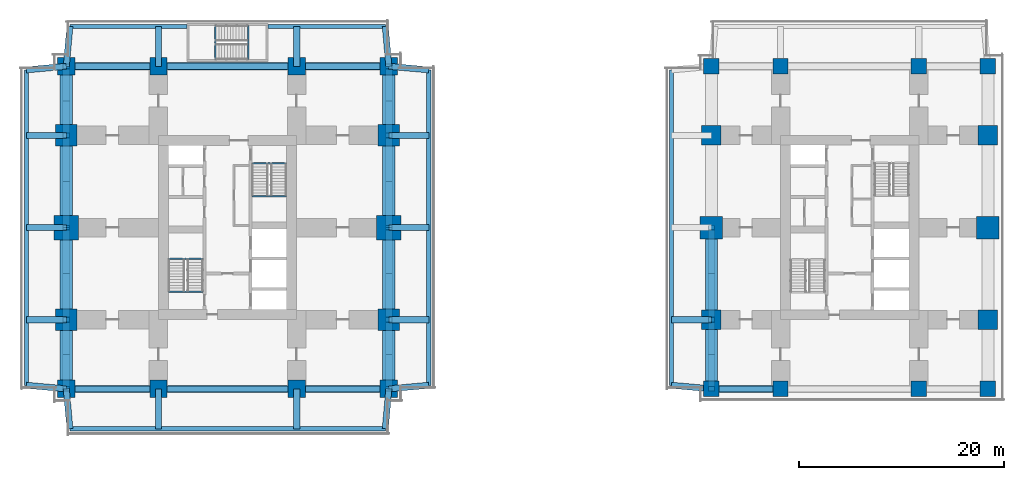
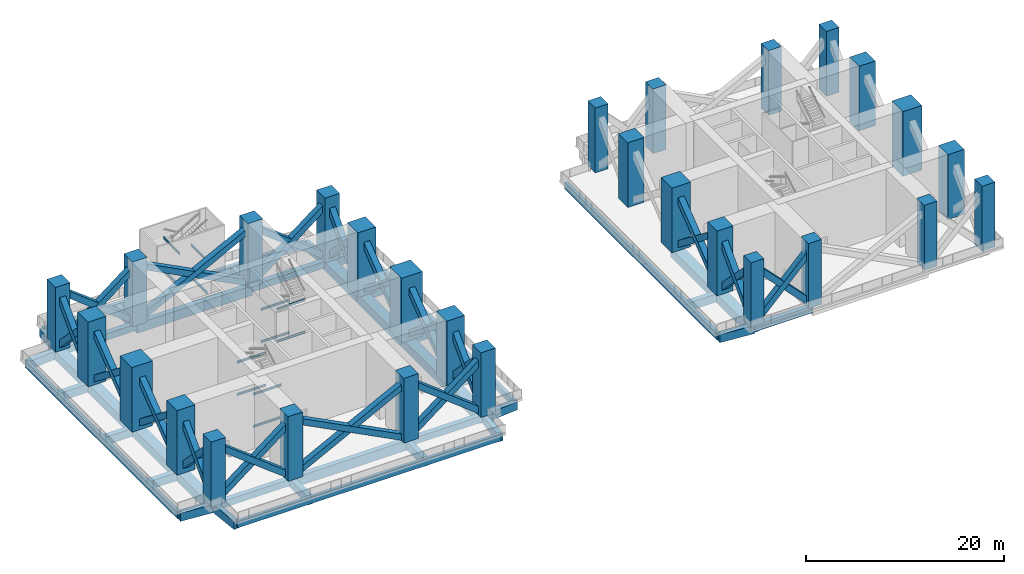
# One storey, part 1 of 11: 55 beams, 34 members, 28 columns.
"""IFC4 building model written with IfcOpenShell, lengths in metres."""

from ifc_helpers import new_model, si_unit, direction, frame, origin, origin_2d, place, context, subcontext, project, spatial, rectangle, hollow_rectangle, i_section, extrude, material, material_profile, profile_set, type_object, element, save


model = new_model("IFC4")

# Units and contexts
model_context = context("Model", 3, precision=1e-05, world=origin(), true_north=direction((0.0, 1.0)))
body_context = subcontext(model_context, "Body", "Model", "MODEL_VIEW")
ifc_project = project(units=[si_unit("LENGTHUNIT", "METRE"), si_unit("AREAUNIT", "SQUARE_METRE"), si_unit("VOLUMEUNIT", "CUBIC_METRE"), si_unit("PLANEANGLEUNIT", "RADIAN"), si_unit("MASSUNIT", "GRAM", prefix="KILO")], contexts=[model_context])

# Site, building, storey
site_placement = place(None, origin())
site = spatial("IfcSite", under=ifc_project, at=site_placement, CompositionType="ELEMENT")
building_placement = place(site_placement, origin())
building = spatial("IfcBuilding", under=site, at=building_placement, Name="Namib Vertical Campus", CompositionType="ELEMENT")
storey_placement = place(building_placement, frame((0.0, 0.0, 169.0)))
storey = spatial("IfcBuildingStorey", under=building, at=storey_placement, Name="L40", CompositionType="ELEMENT", Elevation=169.0)

# Columns
ifc_material_1 = material(Name="Concrete C60/75", Category="concrete")
ifc_material_profile_1 = material_profile(ifc_material_1, rectangle(XDim=1.5, YDim=1.5, at=origin_2d()))
ifc_profile_set_1 = profile_set([ifc_material_profile_1], Name="Concrete C60/75")
column_type_1 = type_object("IfcColumnType", Name="Column RC 1500x1500", PredefinedType="COLUMN", material=ifc_profile_set_1)
for number, where, z_axis, x_axis, name in (
    (1, (67.5, 4.5, 0.0), (0.0, 0.0, 1.0), (1.0, 0.0, 0.0), "Column C150 L40"),
    (2, (74.25, 4.5, 0.0), (0.0, 0.0, 1.0), (1.0, 0.0, 0.0), "Column C150 L40"),
    (3, (87.75, 4.5, 0.0), (0.0, 0.0, 1.0), (1.0, 0.0, 0.0), "Column C150 L40"),
    (4, (94.5, 4.5, 0.0), (0.0, 0.0, 1.0), (1.0, 0.0, 0.0), "Column C150 L40"),
    (5, (67.5, 36.0, 0.0), (0.0, 0.0, 1.0), (1.0, 0.0, 0.0), "Column C150 L40"),
    (6, (74.25, 36.0, 0.0), (0.0, 0.0, 1.0), (1.0, 0.0, 0.0), "Column C150 L40"),
    (7, (87.75, 36.0, 0.0), (0.0, 0.0, 1.0), (1.0, 0.0, 0.0), "Column C150 L40"),
    (8, (94.5, 36.0, 0.0), (0.0, 0.0, 1.0), (1.0, 0.0, 0.0), "Column C150 L40"),
):
    element("IfcColumn", number, at=place(storey_placement, frame(where, z_axis=z_axis, x_axis=x_axis)), inside=storey, type_object=column_type_1, Name=name, PredefinedType="COLUMN", context=body_context, shape_type="SweptSolid", body=[
        extrude(rectangle(XDim=1.5, YDim=1.5, at=origin_2d()), origin(), (0.0, 0.0, 1.0), 8.0),
    ])
ifc_material_2 = material(Name="Concrete C60/75", Category="concrete")
ifc_material_profile_2 = material_profile(ifc_material_2, rectangle(XDim=1.699951171875, YDim=1.699951171875, at=origin_2d()))
ifc_profile_set_2 = profile_set([ifc_material_profile_2], Name="Concrete C60/75")
column_type_2 = type_object("IfcColumnType", Name="Column RC 1700x1700", PredefinedType="COLUMN", material=ifc_profile_set_2)
for number, where, z_axis, x_axis, name in (
    (9, (4.5, 4.5, 0.0), (0.0, 0.0, 1.0), (1.0, 0.0, 0.0), "Column C170 L40"),
    (10, (13.5, 4.5, 0.0), (0.0, 0.0, 1.0), (1.0, 0.0, 0.0), "Column C170 L40"),
    (11, (27.0, 4.5, 0.0), (0.0, 0.0, 1.0), (1.0, 0.0, 0.0), "Column C170 L40"),
    (12, (36.0, 4.5, 0.0), (0.0, 0.0, 1.0), (1.0, 0.0, 0.0), "Column C170 L40"),
    (13, (4.5, 36.0, 0.0), (0.0, 0.0, 1.0), (1.0, 0.0, 0.0), "Column C170 L40"),
    (14, (13.5, 36.0, 0.0), (0.0, 0.0, 1.0), (1.0, 0.0, 0.0), "Column C170 L40"),
    (15, (27.0, 36.0, 0.0), (0.0, 0.0, 1.0), (1.0, 0.0, 0.0), "Column C170 L40"),
    (16, (36.0, 36.0, 0.0), (0.0, 0.0, 1.0), (1.0, 0.0, 0.0), "Column C170 L40"),
):
    element("IfcColumn", number, at=place(storey_placement, frame(where, z_axis=z_axis, x_axis=x_axis)), inside=storey, type_object=column_type_2, Name=name, PredefinedType="COLUMN", context=body_context, shape_type="SweptSolid", body=[
        extrude(rectangle(XDim=1.699951171875, YDim=1.699951171875, at=origin_2d()), origin(), (0.0, 0.0, 1.0), 8.0),
    ])
ifc_material_3 = material(Name="Concrete C60/75", Category="concrete")
ifc_material_profile_3 = material_profile(ifc_material_3, rectangle(XDim=1.89990234375, YDim=1.89990234375, at=origin_2d()))
ifc_profile_set_3 = profile_set([ifc_material_profile_3], Name="Concrete C60/75")
column_type_3 = type_object("IfcColumnType", Name="Column RC 1900x1900", PredefinedType="COLUMN", material=ifc_profile_set_3)
for number, where, z_axis, x_axis, name in (
    (17, (67.5, 11.25, 0.0), (0.0, 0.0, 1.0), (1.0, 0.0, 0.0), "Column C190 L40"),
    (18, (94.5, 11.25, 0.0), (0.0, 0.0, 1.0), (1.0, 0.0, 0.0), "Column C190 L40"),
    (19, (67.5, 29.25, 0.0), (0.0, 0.0, 1.0), (1.0, 0.0, 0.0), "Column C190 L40"),
    (20, (94.5, 29.25, 0.0), (0.0, 0.0, 1.0), (1.0, 0.0, 0.0), "Column C190 L40"),
):
    element("IfcColumn", number, at=place(storey_placement, frame(where, z_axis=z_axis, x_axis=x_axis)), inside=storey, type_object=column_type_3, Name=name, PredefinedType="COLUMN", context=body_context, shape_type="SweptSolid", body=[
        extrude(rectangle(XDim=1.89990234375, YDim=1.89990234375, at=origin_2d()), origin(), (0.0, 0.0, 1.0), 8.0),
    ])
ifc_material_4 = material(Name="Concrete C60/75", Category="concrete")
ifc_material_profile_4 = material_profile(ifc_material_4, rectangle(XDim=2.10009765625, YDim=2.10009765625, at=origin_2d()))
ifc_profile_set_4 = profile_set([ifc_material_profile_4], Name="Concrete C60/75")
column_type_4 = type_object("IfcColumnType", Name="Column RC 2100x2100", PredefinedType="COLUMN", material=ifc_profile_set_4)
for number, where, z_axis, x_axis, name in (
    (21, (4.5, 11.25, 0.0), (0.0, 0.0, 1.0), (1.0, 0.0, 0.0), "Column C210 L40"),
    (22, (36.0, 11.25, 0.0), (0.0, 0.0, 1.0), (1.0, 0.0, 0.0), "Column C210 L40"),
    (23, (4.5, 29.25, 0.0), (0.0, 0.0, 1.0), (1.0, 0.0, 0.0), "Column C210 L40"),
    (24, (36.0, 29.25, 0.0), (0.0, 0.0, 1.0), (1.0, 0.0, 0.0), "Column C210 L40"),
):
    element("IfcColumn", number, at=place(storey_placement, frame(where, z_axis=z_axis, x_axis=x_axis)), inside=storey, type_object=column_type_4, Name=name, PredefinedType="COLUMN", context=body_context, shape_type="SweptSolid", body=[
        extrude(rectangle(XDim=2.10009765625, YDim=2.10009765625, at=origin_2d()), origin(), (0.0, 0.0, 1.0), 8.0),
    ])
ifc_material_5 = material(Name="Concrete C60/75", Category="concrete")
ifc_material_profile_5 = material_profile(ifc_material_5, rectangle(XDim=2.199951171875, YDim=2.199951171875, at=origin_2d()))
ifc_profile_set_5 = profile_set([ifc_material_profile_5], Name="Concrete C60/75")
column_type_5 = type_object("IfcColumnType", Name="Column RC 2200x2200", PredefinedType="COLUMN", material=ifc_profile_set_5)
for number, where, z_axis, x_axis, name in (
    (25, (67.5, 20.25, 0.0), (0.0, 0.0, 1.0), (1.0, 0.0, 0.0), "Column C220 L40"),
    (26, (94.5, 20.25, 0.0), (0.0, 0.0, 1.0), (1.0, 0.0, 0.0), "Column C220 L40"),
):
    element("IfcColumn", number, at=place(storey_placement, frame(where, z_axis=z_axis, x_axis=x_axis)), inside=storey, type_object=column_type_5, Name=name, PredefinedType="COLUMN", context=body_context, shape_type="SweptSolid", body=[
        extrude(rectangle(XDim=2.199951171875, YDim=2.199951171875, at=origin_2d()), origin(), (0.0, 0.0, 1.0), 8.0),
    ])
ifc_material_6 = material(Name="Concrete C60/75", Category="concrete")
ifc_material_profile_6 = material_profile(ifc_material_6, rectangle(XDim=2.39990234375, YDim=2.39990234375, at=origin_2d()))
ifc_profile_set_6 = profile_set([ifc_material_profile_6], Name="Concrete C60/75")
column_type_6 = type_object("IfcColumnType", Name="Column RC 2400x2400", PredefinedType="COLUMN", material=ifc_profile_set_6)
for number, where, z_axis, x_axis, name in (
    (27, (4.5, 20.25, 0.0), (0.0, 0.0, 1.0), (1.0, 0.0, 0.0), "Column C240 L40"),
    (28, (36.0, 20.25, 0.0), (0.0, 0.0, 1.0), (1.0, 0.0, 0.0), "Column C240 L40"),
):
    element("IfcColumn", number, at=place(storey_placement, frame(where, z_axis=z_axis, x_axis=x_axis)), inside=storey, type_object=column_type_6, Name=name, PredefinedType="COLUMN", context=body_context, shape_type="SweptSolid", body=[
        extrude(rectangle(XDim=2.39990234375, YDim=2.39990234375, at=origin_2d()), origin(), (0.0, 0.0, 1.0), 8.0),
    ])

# Members
ifc_material_7 = material(Name="Steel S355JR", Category="steel")
ifc_material_profile_7 = material_profile(ifc_material_7, hollow_rectangle(XDim=0.699951171875, YDim=0.699951171875, WallThickness=0.0400390625, at=origin_2d()))
ifc_profile_set_7 = profile_set([ifc_material_profile_7], Name="Steel S355JR")
member_type = type_object("IfcMemberType", Name="Belt truss diagonal WB 700x700x40", PredefinedType="BRACE", material=ifc_profile_set_7)
for number, where, z_axis, x_axis, name in (
    (29, (4.5, 4.5, 0.0), (0.79148044328, 0.0, 0.611194492699), (0.0, 1.0, 0.0), "Belt truss diagonal A L40 S1"),
    (30, (13.5, 4.5, 0.0), (-0.79148044328, 0.0, 0.611194492699), (0.0, -1.0, 0.0), "Belt truss diagonal A L40 S2"),
):
    element("IfcMember", number, at=place(storey_placement, frame(where, z_axis=z_axis, x_axis=x_axis)), inside=storey, type_object=member_type, Name=name, PredefinedType="BRACE", context=body_context, shape_type="SweptSolid", body=[
        extrude(hollow_rectangle(XDim=0.699951171875, YDim=0.699951171875, WallThickness=0.0400390625, at=origin_2d()), origin(), (0.0, 0.0, 1.0), 11.37109375),
    ])
for number, where, z_axis, x_axis, name in (
    (31, (13.5, 4.5, 0.0), (0.889097706218, 0.0, 0.457717455203), (0.0, 1.0, 0.0), "Belt truss diagonal A L40 S3"),
    (32, (27.0, 4.5, 0.0), (-0.889097706218, 0.0, 0.457717455203), (0.0, -1.0, 0.0), "Belt truss diagonal A L40 S4"),
):
    element("IfcMember", number, at=place(storey_placement, frame(where, z_axis=z_axis, x_axis=x_axis)), inside=storey, type_object=member_type, Name=name, PredefinedType="BRACE", context=body_context, shape_type="SweptSolid", body=[
        extrude(hollow_rectangle(XDim=0.699951171875, YDim=0.699951171875, WallThickness=0.0400390625, at=origin_2d()), origin(), (0.0, 0.0, 1.0), 15.183837890625),
    ])
for number, where, z_axis, x_axis, name in (
    (33, (27.0, 4.5, 0.0), (0.79148044328, 0.0, 0.611194492699), (0.0, 1.0, 0.0), "Belt truss diagonal A L40 S5"),
    (34, (36.0, 4.5, 0.0), (-0.79148044328, 0.0, 0.611194492699), (0.0, -1.0, 0.0), "Belt truss diagonal A L40 S6"),
    (35, (4.5, 36.0, 0.0), (0.79148044328, 0.0, 0.611194492699), (0.0, 1.0, 0.0), "Belt truss diagonal A L40 N7"),
    (36, (13.5, 36.0, 0.0), (-0.79148044328, 0.0, 0.611194492699), (0.0, -1.0, 0.0), "Belt truss diagonal A L40 N8"),
):
    element("IfcMember", number, at=place(storey_placement, frame(where, z_axis=z_axis, x_axis=x_axis)), inside=storey, type_object=member_type, Name=name, PredefinedType="BRACE", context=body_context, shape_type="SweptSolid", body=[
        extrude(hollow_rectangle(XDim=0.699951171875, YDim=0.699951171875, WallThickness=0.0400390625, at=origin_2d()), origin(), (0.0, 0.0, 1.0), 11.37109375),
    ])
for number, where, z_axis, x_axis, name in (
    (37, (13.5, 36.0, 0.0), (0.889097706218, 0.0, 0.457717455203), (0.0, 1.0, 0.0), "Belt truss diagonal A L40 N9"),
    (38, (27.0, 36.0, 0.0), (-0.889097706218, 0.0, 0.457717455203), (0.0, -1.0, 0.0), "Belt truss diagonal A L40 N10"),
):
    element("IfcMember", number, at=place(storey_placement, frame(where, z_axis=z_axis, x_axis=x_axis)), inside=storey, type_object=member_type, Name=name, PredefinedType="BRACE", context=body_context, shape_type="SweptSolid", body=[
        extrude(hollow_rectangle(XDim=0.699951171875, YDim=0.699951171875, WallThickness=0.0400390625, at=origin_2d()), origin(), (0.0, 0.0, 1.0), 15.183837890625),
    ])
for number, where, z_axis, x_axis, name in (
    (39, (27.0, 36.0, 0.0), (0.79148044328, 0.0, 0.611194492699), (0.0, 1.0, 0.0), "Belt truss diagonal A L40 N11"),
    (40, (36.0, 36.0, 0.0), (-0.79148044328, 0.0, 0.611194492699), (0.0, -1.0, 0.0), "Belt truss diagonal A L40 N12"),
):
    element("IfcMember", number, at=place(storey_placement, frame(where, z_axis=z_axis, x_axis=x_axis)), inside=storey, type_object=member_type, Name=name, PredefinedType="BRACE", context=body_context, shape_type="SweptSolid", body=[
        extrude(hollow_rectangle(XDim=0.699951171875, YDim=0.699951171875, WallThickness=0.0400390625, at=origin_2d()), origin(), (0.0, 0.0, 1.0), 11.37109375),
    ])
for number, where, z_axis, x_axis, name in (
    (41, (4.5, 4.5, 0.0), (0.0, 0.696712336785, 0.717350625407), (-1.0, 0.0, 0.0), "Belt truss diagonal A L40 W13"),
    (42, (4.5, 11.25, 0.0), (0.0, -0.696712336785, 0.717350625407), (1.0, 0.0, 0.0), "Belt truss diagonal A L40 W14"),
):
    element("IfcMember", number, at=place(storey_placement, frame(where, z_axis=z_axis, x_axis=x_axis)), inside=storey, type_object=member_type, Name=name, PredefinedType="BRACE", context=body_context, shape_type="SweptSolid", body=[
        extrude(hollow_rectangle(XDim=0.699951171875, YDim=0.699951171875, WallThickness=0.0400390625, at=origin_2d()), origin(), (0.0, 0.0, 1.0), 9.6884765625),
    ])
for number, where, z_axis, x_axis, name in (
    (43, (4.5, 11.25, 0.0), (0.0, 0.79148044328, 0.611194492699), (-1.0, 0.0, 0.0), "Belt truss diagonal A L40 W15"),
    (44, (4.5, 20.25, 0.0), (0.0, -0.79148044328, 0.611194492699), (1.0, 0.0, 0.0), "Belt truss diagonal A L40 W16"),
    (45, (4.5, 20.25, 0.0), (0.0, 0.79148044328, 0.611194492699), (-1.0, 0.0, 0.0), "Belt truss diagonal A L40 W17"),
    (46, (4.5, 29.25, 0.0), (0.0, -0.79148044328, 0.611194492699), (1.0, 0.0, 0.0), "Belt truss diagonal A L40 W18"),
):
    element("IfcMember", number, at=place(storey_placement, frame(where, z_axis=z_axis, x_axis=x_axis)), inside=storey, type_object=member_type, Name=name, PredefinedType="BRACE", context=body_context, shape_type="SweptSolid", body=[
        extrude(hollow_rectangle(XDim=0.699951171875, YDim=0.699951171875, WallThickness=0.0400390625, at=origin_2d()), origin(), (0.0, 0.0, 1.0), 11.37109375),
    ])
for number, where, z_axis, x_axis, name in (
    (47, (4.5, 29.25, 0.0), (0.0, 0.696712336785, 0.717350625407), (-1.0, 0.0, 0.0), "Belt truss diagonal A L40 W19"),
    (48, (4.5, 36.0, 0.0), (0.0, -0.696712336785, 0.717350625407), (1.0, 0.0, 0.0), "Belt truss diagonal A L40 W20"),
    (49, (36.0, 4.5, 0.0), (0.0, 0.696712336785, 0.717350625407), (-1.0, 0.0, 0.0), "Belt truss diagonal A L40 E21"),
    (50, (36.0, 11.25, 0.0), (0.0, -0.696712336785, 0.717350625407), (1.0, 0.0, 0.0), "Belt truss diagonal A L40 E22"),
):
    element("IfcMember", number, at=place(storey_placement, frame(where, z_axis=z_axis, x_axis=x_axis)), inside=storey, type_object=member_type, Name=name, PredefinedType="BRACE", context=body_context, shape_type="SweptSolid", body=[
        extrude(hollow_rectangle(XDim=0.699951171875, YDim=0.699951171875, WallThickness=0.0400390625, at=origin_2d()), origin(), (0.0, 0.0, 1.0), 9.6884765625),
    ])
for number, where, z_axis, x_axis, name in (
    (51, (36.0, 11.25, 0.0), (0.0, 0.79148044328, 0.611194492699), (-1.0, 0.0, 0.0), "Belt truss diagonal A L40 E23"),
    (52, (36.0, 20.25, 0.0), (0.0, -0.79148044328, 0.611194492699), (1.0, 0.0, 0.0), "Belt truss diagonal A L40 E24"),
    (53, (36.0, 20.25, 0.0), (0.0, 0.79148044328, 0.611194492699), (-1.0, 0.0, 0.0), "Belt truss diagonal A L40 E25"),
    (54, (36.0, 29.25, 0.0), (0.0, -0.79148044328, 0.611194492699), (1.0, 0.0, 0.0), "Belt truss diagonal A L40 E26"),
):
    element("IfcMember", number, at=place(storey_placement, frame(where, z_axis=z_axis, x_axis=x_axis)), inside=storey, type_object=member_type, Name=name, PredefinedType="BRACE", context=body_context, shape_type="SweptSolid", body=[
        extrude(hollow_rectangle(XDim=0.699951171875, YDim=0.699951171875, WallThickness=0.0400390625, at=origin_2d()), origin(), (0.0, 0.0, 1.0), 11.37109375),
    ])
for number, where, z_axis, x_axis, name in (
    (55, (36.0, 29.25, 0.0), (0.0, 0.696712336785, 0.717350625407), (-1.0, 0.0, 0.0), "Belt truss diagonal A L40 E27"),
    (56, (36.0, 36.0, 0.0), (0.0, -0.696712336785, 0.717350625407), (1.0, 0.0, 0.0), "Belt truss diagonal A L40 E28"),
    (57, (67.5, 4.5, 0.0), (0.696712336785, 0.0, 0.717350625407), (0.0, 1.0, 0.0), "Belt truss diagonal B L40 S1"),
    (58, (74.25, 4.5, 0.0), (-0.696712336785, 0.0, 0.717350625407), (0.0, -1.0, 0.0), "Belt truss diagonal B L40 S2"),
    (59, (67.5, 4.5, 0.0), (0.0, 0.696712336785, 0.717350625407), (-1.0, 0.0, 0.0), "Belt truss diagonal B L40 W13"),
    (60, (67.5, 11.25, 0.0), (0.0, -0.696712336785, 0.717350625407), (1.0, 0.0, 0.0), "Belt truss diagonal B L40 W14"),
):
    element("IfcMember", number, at=place(storey_placement, frame(where, z_axis=z_axis, x_axis=x_axis)), inside=storey, type_object=member_type, Name=name, PredefinedType="BRACE", context=body_context, shape_type="SweptSolid", body=[
        extrude(hollow_rectangle(XDim=0.699951171875, YDim=0.699951171875, WallThickness=0.0400390625, at=origin_2d()), origin(), (0.0, 0.0, 1.0), 9.6884765625),
    ])
for number, where, z_axis, x_axis, name in (
    (61, (67.5, 11.25, 0.0), (0.0, 0.79148044328, 0.611194492699), (-1.0, 0.0, 0.0), "Belt truss diagonal B L40 W15"),
    (62, (67.5, 20.25, 0.0), (0.0, -0.79148044328, 0.611194492699), (1.0, 0.0, 0.0), "Belt truss diagonal B L40 W16"),
):
    element("IfcMember", number, at=place(storey_placement, frame(where, z_axis=z_axis, x_axis=x_axis)), inside=storey, type_object=member_type, Name=name, PredefinedType="BRACE", context=body_context, shape_type="SweptSolid", body=[
        extrude(hollow_rectangle(XDim=0.699951171875, YDim=0.699951171875, WallThickness=0.0400390625, at=origin_2d()), origin(), (0.0, 0.0, 1.0), 11.37109375),
    ])

# Beams
ifc_material_8 = material(Name="Concrete C40/50", Category="concrete")
ifc_material_profile_8 = material_profile(ifc_material_8, rectangle(XDim=1.199951171875, YDim=1.10009765625, at=origin_2d()))
ifc_profile_set_8 = profile_set([ifc_material_profile_8], Name="Concrete C40/50")
beam_type_1 = type_object("IfcBeamType", Name="Face ring beam RC 1200x1100", PredefinedType="BEAM", material=ifc_profile_set_8)
beam_1_placement = place(storey_placement, frame((4.5, 4.5, -0.800048828125), z_axis=(0.0, 1.0, 0.0), x_axis=(-1.0, 0.0, 0.0)))
element("IfcBeam", 63, at=beam_1_placement, inside=storey, type_object=beam_type_1, Name="Beam B11 L40", PredefinedType="BEAM", context=body_context, shape_type="SweptSolid", body=[
    extrude(rectangle(XDim=1.199951171875, YDim=1.10009765625, at=origin_2d()), origin(), (0.0, 0.0, 1.0), 6.75),
])
for number, where, z_axis, x_axis, name in (
    (64, (4.5, 11.25, -0.800048828125), (0.0, 1.0, 0.0), (-1.0, 0.0, 0.0), "Beam B11 L40"),
    (65, (4.5, 20.25, -0.800048828125), (0.0, 1.0, 0.0), (-1.0, 0.0, 0.0), "Beam B11 L40"),
):
    element("IfcBeam", number, at=place(storey_placement, frame(where, z_axis=z_axis, x_axis=x_axis)), inside=storey, type_object=beam_type_1, Name=name, PredefinedType="BEAM", context=body_context, shape_type="SweptSolid", body=[
        extrude(rectangle(XDim=1.199951171875, YDim=1.10009765625, at=origin_2d()), origin(), (0.0, 0.0, 1.0), 9.0),
    ])
for number, where, z_axis, x_axis, name in (
    (66, (4.5, 29.25, -0.800048828125), (0.0, 1.0, 0.0), (-1.0, 0.0, 0.0), "Beam B11 L40"),
    (67, (36.0, 4.5, -0.800048828125), (0.0, 1.0, 0.0), (-1.0, 0.0, 0.0), "Beam B11 L40"),
):
    element("IfcBeam", number, at=place(storey_placement, frame(where, z_axis=z_axis, x_axis=x_axis)), inside=storey, type_object=beam_type_1, Name=name, PredefinedType="BEAM", context=body_context, shape_type="SweptSolid", body=[
        extrude(rectangle(XDim=1.199951171875, YDim=1.10009765625, at=origin_2d()), origin(), (0.0, 0.0, 1.0), 6.75),
    ])
for number, where, z_axis, x_axis, name in (
    (68, (36.0, 11.25, -0.800048828125), (0.0, 1.0, 0.0), (-1.0, 0.0, 0.0), "Beam B11 L40"),
    (69, (36.0, 20.25, -0.800048828125), (0.0, 1.0, 0.0), (-1.0, 0.0, 0.0), "Beam B11 L40"),
):
    element("IfcBeam", number, at=place(storey_placement, frame(where, z_axis=z_axis, x_axis=x_axis)), inside=storey, type_object=beam_type_1, Name=name, PredefinedType="BEAM", context=body_context, shape_type="SweptSolid", body=[
        extrude(rectangle(XDim=1.199951171875, YDim=1.10009765625, at=origin_2d()), origin(), (0.0, 0.0, 1.0), 9.0),
    ])
for number, where, z_axis, x_axis, name in (
    (70, (36.0, 29.25, -0.800048828125), (0.0, 1.0, 0.0), (-1.0, 0.0, 0.0), "Beam B11 L40"),
    (71, (67.5, 4.5, -0.800048828125), (0.0, 1.0, 0.0), (-1.0, 0.0, 0.0), "Beam B11 L40"),
):
    element("IfcBeam", number, at=place(storey_placement, frame(where, z_axis=z_axis, x_axis=x_axis)), inside=storey, type_object=beam_type_1, Name=name, PredefinedType="BEAM", context=body_context, shape_type="SweptSolid", body=[
        extrude(rectangle(XDim=1.199951171875, YDim=1.10009765625, at=origin_2d()), origin(), (0.0, 0.0, 1.0), 6.75),
    ])
beam_2_placement = place(storey_placement, frame((67.5, 11.25, -0.800048828125), z_axis=(0.0, 1.0, 0.0), x_axis=(-1.0, 0.0, 0.0)))
element("IfcBeam", 72, at=beam_2_placement, inside=storey, type_object=beam_type_1, Name="Beam B11 L40", PredefinedType="BEAM", context=body_context, shape_type="SweptSolid", body=[
    extrude(rectangle(XDim=1.199951171875, YDim=1.10009765625, at=origin_2d()), origin(), (0.0, 0.0, 1.0), 9.0),
])
ifc_material_9 = material(Name="Steel S355JR", Category="steel")
ifc_material_profile_9 = material_profile(ifc_material_9, i_section(OverallWidth=0.14599609375, OverallDepth=0.25146484375, WebThickness=0.006103515625, FlangeThickness=0.008544921875, FilletRadius=0.007568359375, at=origin_2d()))
ifc_profile_set_9 = profile_set([ifc_material_profile_9], Name="Steel S355JR")
beam_type_2 = type_object("IfcBeamType", Name="Landing trimmer UB 254x146x31", PredefinedType="BEAM", material=ifc_profile_set_9)
for number, where, z_axis, x_axis, name in (
    (73, (14.5, 13.97705078125, -0.125732421875), (1.0, 0.0, 0.0), (0.0, 1.0, 0.0), "Landing trimmer LT1 A-S1 L40 1"),
    (74, (14.5, 17.203125, 1.874267578125), (1.0, 0.0, 0.0), (0.0, 1.0, 0.0), "Landing trimmer LT1 A-S1 L40 2"),
    (75, (14.5, 13.97705078125, 3.874267578125), (1.0, 0.0, 0.0), (0.0, 1.0, 0.0), "Landing trimmer LT1 A-S1 L40 3"),
    (76, (14.5, 17.203125, 5.874267578125), (1.0, 0.0, 0.0), (0.0, 1.0, 0.0), "Landing trimmer LT1 A-S1 L40 4"),
    (77, (22.64990234375, 26.52294921875, -0.125732421875), (1.0, 0.0, 0.0), (0.0, 1.0, 0.0), "Landing trimmer LT1 A-S2 L40 1"),
    (78, (22.64990234375, 23.296875, 1.874267578125), (1.0, 0.0, 0.0), (0.0, 1.0, 0.0), "Landing trimmer LT1 A-S2 L40 2"),
    (79, (22.64990234375, 26.52294921875, 3.874267578125), (1.0, 0.0, 0.0), (0.0, 1.0, 0.0), "Landing trimmer LT1 A-S2 L40 3"),
    (80, (22.64990234375, 23.296875, 5.874267578125), (1.0, 0.0, 0.0), (0.0, 1.0, 0.0), "Landing trimmer LT1 A-S2 L40 4"),
    (81, (22.27294921875, 36.64990234375, -0.125732421875), (0.0, 1.0, 0.0), (-1.0, 0.0, 0.0), "Landing trimmer LT1 A-S3 L40 1"),
    (82, (19.046875, 36.64990234375, 1.874267578125), (0.0, 1.0, 0.0), (-1.0, 0.0, 0.0), "Landing trimmer LT1 A-S3 L40 2"),
    (83, (22.27294921875, 36.64990234375, 3.874267578125), (0.0, 1.0, 0.0), (-1.0, 0.0, 0.0), "Landing trimmer LT1 A-S3 L40 3"),
    (84, (19.046875, 36.64990234375, 5.874267578125), (0.0, 1.0, 0.0), (-1.0, 0.0, 0.0), "Landing trimmer LT1 A-S3 L40 4"),
):
    element("IfcBeam", number, at=place(storey_placement, frame(where, z_axis=z_axis, x_axis=x_axis)), inside=storey, type_object=beam_type_2, Name=name, PredefinedType="BEAM", context=body_context, shape_type="SweptSolid", body=[
        extrude(i_section(OverallWidth=0.14599609375, OverallDepth=0.25146484375, WebThickness=0.006103515625, FlangeThickness=0.008544921875, FilletRadius=0.007568359375, at=origin_2d()), origin(), (0.0, 0.0, 1.0), 3.35009765625),
    ])
ifc_material_10 = material(Name="Concrete C40/50", Category="concrete")
ifc_material_profile_10 = material_profile(ifc_material_10, rectangle(XDim=0.60009765625, YDim=1.199951171875, at=origin_2d()))
ifc_profile_set_10 = profile_set([ifc_material_profile_10], Name="Concrete C40/50")
beam_type_3 = type_object("IfcBeamType", Name="Long-span ring beam RC 600x1200", PredefinedType="BEAM", material=ifc_profile_set_10)
for number, where, z_axis, x_axis, name in (
    (85, (13.5, 4.5, -0.85009765625), (1.0, 0.0, 0.0), (0.0, 1.0, 0.0), "Beam B9 L40"),
    (86, (13.5, 36.0, -0.85009765625), (1.0, 0.0, 0.0), (0.0, 1.0, 0.0), "Beam B9 L40"),
):
    element("IfcBeam", number, at=place(storey_placement, frame(where, z_axis=z_axis, x_axis=x_axis)), inside=storey, type_object=beam_type_3, Name=name, PredefinedType="BEAM", context=body_context, shape_type="SweptSolid", body=[
        extrude(rectangle(XDim=0.60009765625, YDim=1.199951171875, at=origin_2d()), origin(), (0.0, 0.0, 1.0), 13.5),
    ])
ifc_material_11 = material(Name="Concrete C40/50", Category="concrete")
ifc_material_profile_11 = material_profile(ifc_material_11, rectangle(XDim=0.60009765625, YDim=1.0, at=origin_2d()))
ifc_profile_set_11 = profile_set([ifc_material_profile_11], Name="Concrete C40/50")
beam_type_4 = type_object("IfcBeamType", Name="Portal cantilever girder RC 600x1000", PredefinedType="BEAM", material=ifc_profile_set_11)
beam_3_placement = place(storey_placement, frame((4.5, 4.5, -0.75), z_axis=(0.089411326146, -0.995994786511, 0.0), x_axis=(0.995994786511, 0.089411326146, 0.0)))
element("IfcBeam", 87, at=beam_3_placement, inside=storey, type_object=beam_type_4, Name="Beam B14 L40", PredefinedType="BEAM", context=body_context, shape_type="SweptSolid", body=[
    extrude(rectangle(XDim=0.60009765625, YDim=1.0, at=origin_2d()), origin(), (0.0, 0.0, 1.0), 3.91552734375),
])
for number, where, z_axis, x_axis, name in (
    (88, (13.5, 4.5, -0.75), (0.0, -1.0, 0.0), (1.0, 0.0, 0.0), "Beam B14 L40"),
    (89, (27.0, 4.5, -0.75), (0.0, -1.0, 0.0), (1.0, 0.0, 0.0), "Beam B14 L40"),
):
    element("IfcBeam", number, at=place(storey_placement, frame(where, z_axis=z_axis, x_axis=x_axis)), inside=storey, type_object=beam_type_4, Name=name, PredefinedType="BEAM", context=body_context, shape_type="SweptSolid", body=[
        extrude(rectangle(XDim=0.60009765625, YDim=1.0, at=origin_2d()), origin(), (0.0, 0.0, 1.0), 3.89990234375),
    ])
for number, where, z_axis, x_axis, name in (
    (90, (36.0, 4.5, -0.75), (-0.089411326146, -0.995994786511, 0.0), (0.995994786511, -0.089411326146, 0.0), "Beam B14 L40"),
    (91, (4.5, 36.0, -0.75), (0.089411326146, 0.995994786511, 0.0), (-0.995994786511, 0.089411326146, 0.0), "Beam B14 L40"),
):
    element("IfcBeam", number, at=place(storey_placement, frame(where, z_axis=z_axis, x_axis=x_axis)), inside=storey, type_object=beam_type_4, Name=name, PredefinedType="BEAM", context=body_context, shape_type="SweptSolid", body=[
        extrude(rectangle(XDim=0.60009765625, YDim=1.0, at=origin_2d()), origin(), (0.0, 0.0, 1.0), 3.91552734375),
    ])
for number, where, z_axis, x_axis, name in (
    (92, (13.5, 36.0, -0.75), (0.0, 1.0, 0.0), (-1.0, 0.0, 0.0), "Beam B14 L40"),
    (93, (27.0, 36.0, -0.75), (0.0, 1.0, 0.0), (-1.0, 0.0, 0.0), "Beam B14 L40"),
):
    element("IfcBeam", number, at=place(storey_placement, frame(where, z_axis=z_axis, x_axis=x_axis)), inside=storey, type_object=beam_type_4, Name=name, PredefinedType="BEAM", context=body_context, shape_type="SweptSolid", body=[
        extrude(rectangle(XDim=0.60009765625, YDim=1.0, at=origin_2d()), origin(), (0.0, 0.0, 1.0), 3.89990234375),
    ])
for number, where, z_axis, x_axis, name in (
    (94, (36.0, 36.0, -0.75), (-0.089411326146, 0.995994786511, 0.0), (-0.995994786511, -0.089411326146, 0.0), "Beam B14 L40"),
    (95, (4.5, 4.5, -0.75), (-0.995994786511, 0.089411326146, 0.0), (-0.089411326146, -0.995994786511, 0.0), "Beam B14 L40"),
):
    element("IfcBeam", number, at=place(storey_placement, frame(where, z_axis=z_axis, x_axis=x_axis)), inside=storey, type_object=beam_type_4, Name=name, PredefinedType="BEAM", context=body_context, shape_type="SweptSolid", body=[
        extrude(rectangle(XDim=0.60009765625, YDim=1.0, at=origin_2d()), origin(), (0.0, 0.0, 1.0), 3.91552734375),
    ])
for number, where, z_axis, x_axis, name in (
    (96, (4.5, 11.25, -0.75), (-1.0, 0.0, 0.0), (0.0, -1.0, 0.0), "Beam B14 L40"),
    (97, (4.5, 20.25, -0.75), (-1.0, 0.0, 0.0), (0.0, -1.0, 0.0), "Beam B14 L40"),
    (98, (4.5, 29.25, -0.75), (-1.0, 0.0, 0.0), (0.0, -1.0, 0.0), "Beam B14 L40"),
):
    element("IfcBeam", number, at=place(storey_placement, frame(where, z_axis=z_axis, x_axis=x_axis)), inside=storey, type_object=beam_type_4, Name=name, PredefinedType="BEAM", context=body_context, shape_type="SweptSolid", body=[
        extrude(rectangle(XDim=0.60009765625, YDim=1.0, at=origin_2d()), origin(), (0.0, 0.0, 1.0), 3.89990234375),
    ])
for number, where, z_axis, x_axis, name in (
    (99, (4.5, 36.0, -0.75), (-0.995994786511, -0.089411326146, 0.0), (0.089411326146, -0.995994786511, 0.0), "Beam B14 L40"),
    (100, (36.0, 4.5, -0.75), (0.995994786511, 0.089411326146, 0.0), (-0.089411326146, 0.995994786511, 0.0), "Beam B14 L40"),
):
    element("IfcBeam", number, at=place(storey_placement, frame(where, z_axis=z_axis, x_axis=x_axis)), inside=storey, type_object=beam_type_4, Name=name, PredefinedType="BEAM", context=body_context, shape_type="SweptSolid", body=[
        extrude(rectangle(XDim=0.60009765625, YDim=1.0, at=origin_2d()), origin(), (0.0, 0.0, 1.0), 3.91552734375),
    ])
for number, where, z_axis, x_axis, name in (
    (101, (36.0, 11.25, -0.75), (1.0, 0.0, 0.0), (0.0, 1.0, 0.0), "Beam B14 L40"),
    (102, (36.0, 20.25, -0.75), (1.0, 0.0, 0.0), (0.0, 1.0, 0.0), "Beam B14 L40"),
    (103, (36.0, 29.25, -0.75), (1.0, 0.0, 0.0), (0.0, 1.0, 0.0), "Beam B14 L40"),
):
    element("IfcBeam", number, at=place(storey_placement, frame(where, z_axis=z_axis, x_axis=x_axis)), inside=storey, type_object=beam_type_4, Name=name, PredefinedType="BEAM", context=body_context, shape_type="SweptSolid", body=[
        extrude(rectangle(XDim=0.60009765625, YDim=1.0, at=origin_2d()), origin(), (0.0, 0.0, 1.0), 3.89990234375),
    ])
for number, where, z_axis, x_axis, name in (
    (104, (36.0, 36.0, -0.75), (0.995994786511, -0.089411326146, 0.0), (0.089411326146, 0.995994786511, 0.0), "Beam B14 L40"),
    (105, (67.5, 4.5, -0.75), (-0.995994786511, 0.089411326146, 0.0), (-0.089411326146, -0.995994786511, 0.0), "Beam B14 L40"),
):
    element("IfcBeam", number, at=place(storey_placement, frame(where, z_axis=z_axis, x_axis=x_axis)), inside=storey, type_object=beam_type_4, Name=name, PredefinedType="BEAM", context=body_context, shape_type="SweptSolid", body=[
        extrude(rectangle(XDim=0.60009765625, YDim=1.0, at=origin_2d()), origin(), (0.0, 0.0, 1.0), 3.91552734375),
    ])
beam_4_placement = place(storey_placement, frame((67.5, 11.25, -0.75), z_axis=(-1.0, 0.0, 0.0), x_axis=(0.0, -1.0, 0.0)))
element("IfcBeam", 106, at=beam_4_placement, inside=storey, type_object=beam_type_4, Name="Beam B14 L40", PredefinedType="BEAM", context=body_context, shape_type="SweptSolid", body=[
    extrude(rectangle(XDim=0.60009765625, YDim=1.0, at=origin_2d()), origin(), (0.0, 0.0, 1.0), 3.89990234375),
])
ifc_material_12 = material(Name="Concrete C40/50", Category="concrete")
ifc_material_profile_12 = material_profile(ifc_material_12, rectangle(XDim=0.39990234375, YDim=0.800048828125, at=origin_2d()))
ifc_profile_set_12 = profile_set([ifc_material_profile_12], Name="Concrete C40/50")
beam_type_5 = type_object("IfcBeamType", Name="Portal floor edge beam RC 400x800", PredefinedType="SPANDREL", material=ifc_profile_set_12)
beam_5_placement = place(storey_placement, frame((4.85009765625, 0.60009765625, -0.64990234375), z_axis=(1.0, 0.0, 0.0), x_axis=(0.0, 1.0, 0.0)))
element("IfcBeam", 107, at=beam_5_placement, inside=storey, type_object=beam_type_5, Name="Beam B15 L40", PredefinedType="SPANDREL", context=body_context, shape_type="SweptSolid", body=[
    extrude(rectangle(XDim=0.39990234375, YDim=0.800048828125, at=origin_2d()), origin(), (0.0, 0.0, 1.0), 30.7998046875),
])
for number, where, z_axis, x_axis, name in (
    (108, (4.85009765625, 39.89990234375, -0.64990234375), (1.0, 0.0, 0.0), (0.0, 1.0, 0.0), "Beam B15 L40"),
    (109, (24.199951171875, 39.89990234375, -0.64990234375), (1.0, 0.0, 0.0), (0.0, 1.0, 0.0), "Beam B15 L40"),
):
    element("IfcBeam", number, at=place(storey_placement, frame(where, z_axis=z_axis, x_axis=x_axis)), inside=storey, type_object=beam_type_5, Name=name, PredefinedType="SPANDREL", context=body_context, shape_type="SweptSolid", body=[
        extrude(rectangle(XDim=0.39990234375, YDim=0.800048828125, at=origin_2d()), origin(), (0.0, 0.0, 1.0), 11.449951171875),
    ])
for number, where, z_axis, x_axis, name in (
    (110, (0.60009765625, 4.85009765625, -0.64990234375), (0.0, 1.0, 0.0), (-1.0, 0.0, 0.0), "Beam B15 L40"),
    (111, (39.89990234375, 4.85009765625, -0.64990234375), (0.0, 1.0, 0.0), (-1.0, 0.0, 0.0), "Beam B15 L40"),
    (112, (63.60009765625, 4.85009765625, -0.64990234375), (0.0, 1.0, 0.0), (-1.0, 0.0, 0.0), "Beam B15 L40"),
):
    element("IfcBeam", number, at=place(storey_placement, frame(where, z_axis=z_axis, x_axis=x_axis)), inside=storey, type_object=beam_type_5, Name=name, PredefinedType="SPANDREL", context=body_context, shape_type="SweptSolid", body=[
        extrude(rectangle(XDim=0.39990234375, YDim=0.800048828125, at=origin_2d()), origin(), (0.0, 0.0, 1.0), 30.7998046875),
    ])
ifc_material_13 = material(Name="Concrete C40/50", Category="concrete")
ifc_material_profile_13 = material_profile(ifc_material_13, rectangle(XDim=0.60009765625, YDim=0.800048828125, at=origin_2d()))
ifc_profile_set_13 = profile_set([ifc_material_profile_13], Name="Concrete C40/50")
beam_type_6 = type_object("IfcBeamType", Name="Ring beam RC 600x800", PredefinedType="BEAM", material=ifc_profile_set_13)
for number, where, z_axis, x_axis, name in (
    (113, (4.5, 4.5, -0.64990234375), (1.0, 0.0, 0.0), (0.0, 1.0, 0.0), "Beam B1 L40"),
    (114, (27.0, 4.5, -0.64990234375), (1.0, 0.0, 0.0), (0.0, 1.0, 0.0), "Beam B1 L40"),
    (115, (4.5, 36.0, -0.64990234375), (1.0, 0.0, 0.0), (0.0, 1.0, 0.0), "Beam B1 L40"),
    (116, (27.0, 36.0, -0.64990234375), (1.0, 0.0, 0.0), (0.0, 1.0, 0.0), "Beam B1 L40"),
):
    element("IfcBeam", number, at=place(storey_placement, frame(where, z_axis=z_axis, x_axis=x_axis)), inside=storey, type_object=beam_type_6, Name=name, PredefinedType="BEAM", context=body_context, shape_type="SweptSolid", body=[
        extrude(rectangle(XDim=0.60009765625, YDim=0.800048828125, at=origin_2d()), origin(), (0.0, 0.0, 1.0), 9.0),
    ])
beam_6_placement = place(storey_placement, frame((67.5, 4.5, -0.64990234375), z_axis=(1.0, 0.0, 0.0), x_axis=(0.0, 1.0, 0.0)))
element("IfcBeam", 117, at=beam_6_placement, inside=storey, type_object=beam_type_6, Name="Beam B1 L40", PredefinedType="BEAM", context=body_context, shape_type="SweptSolid", body=[
    extrude(rectangle(XDim=0.60009765625, YDim=0.800048828125, at=origin_2d()), origin(), (0.0, 0.0, 1.0), 6.75),
])

save(model, "model.ifc")
